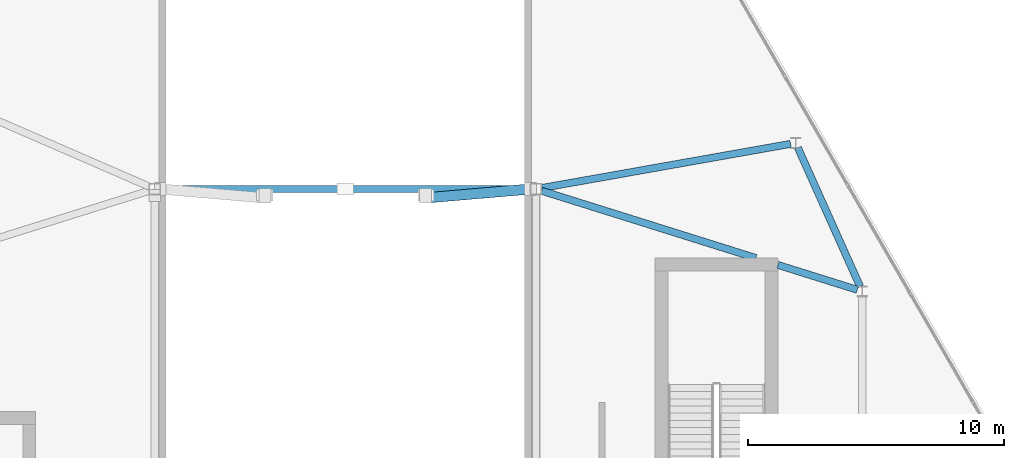
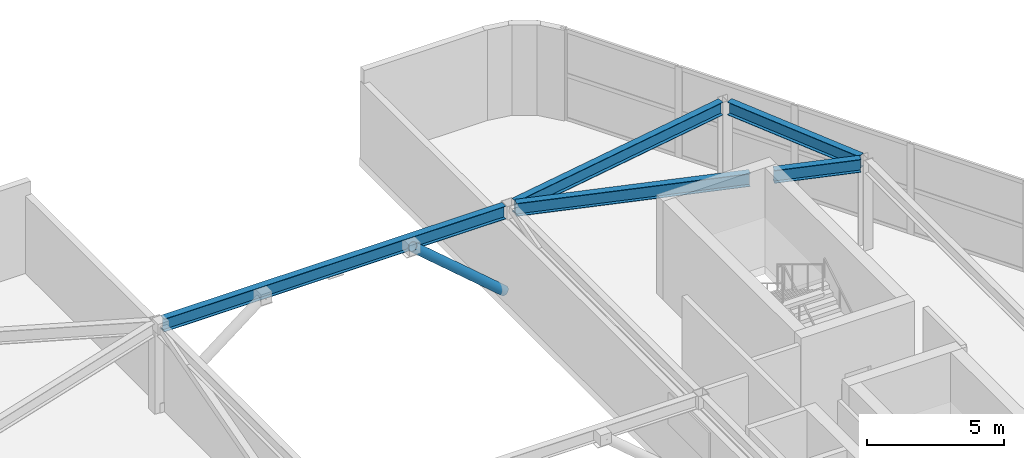
# One storey, part 11 of 16: 5 beams, 1 member.
"""IFC4 building model written with IfcOpenShell, lengths in metres."""

from ifc_helpers import new_model, si_unit, direction, frame, origin, origin_2d, place, context, subcontext, project, spatial, hollow_circle, i_section, extrude, material, material_profile, profile_set, type_object, element, save


model = new_model("IFC4")

# Units and contexts
model_context = context("Model", 3, precision=1e-05, world=origin(), true_north=direction((0.0, 1.0)))
body_context = subcontext(model_context, "Body", "Model", "MODEL_VIEW")
ifc_project = project(units=[si_unit("LENGTHUNIT", "METRE"), si_unit("AREAUNIT", "SQUARE_METRE"), si_unit("VOLUMEUNIT", "CUBIC_METRE"), si_unit("PLANEANGLEUNIT", "RADIAN"), si_unit("MASSUNIT", "GRAM", prefix="KILO")], contexts=[model_context])

# Site, building, storey
site_placement = place(None, origin())
site = spatial("IfcSite", under=ifc_project, at=site_placement, CompositionType="ELEMENT")
building_placement = place(site_placement, origin())
building = spatial("IfcBuilding", under=site, at=building_placement, Name="Zuhravey Tower", CompositionType="ELEMENT")
storey_placement = place(building_placement, frame((0.0, 0.0, 365.800048828125)))
storey = spatial("IfcBuildingStorey", under=building, at=storey_placement, Name="L93", CompositionType="ELEMENT", Elevation=365.800048828125)

# Beams
ifc_material = material(Name="Steel SM355", Category="steel")
ifc_material_profile_1 = material_profile(ifc_material, i_section(OverallWidth=0.280029296875, OverallDepth=0.580078125, WebThickness=0.011962890625, FlangeThickness=0.01904296875, at=origin_2d()), Name="H-580x280x12x19")
ifc_profile_set_1 = profile_set([ifc_material_profile_1], Name="Steel SM355")
beam_type = type_object("IfcBeamType", Name="Perimeter Ring Beam H580x280", PredefinedType="BEAM", material=ifc_profile_set_1)
beam_1_placement = place(storey_placement, frame((56.116455078125, 42.18603515625, 3.760009765625), z_axis=(-0.409053547057, 0.912510381113, 0.0), x_axis=(-0.912510381113, -0.409053547057, 0.0)))
element("IfcBeam", 1, at=beam_1_placement, inside=storey, type_object=beam_type, Name="L93 PB4 BM-L93-ECR-1-3", PredefinedType="BEAM", context=body_context, shape_type="SweptSolid", body=[
    extrude(i_section(OverallWidth=0.280029296875, OverallDepth=0.580078125, WebThickness=0.011962890625, FlangeThickness=0.01904296875, at=origin_2d()), origin(), (0.0, 0.0, 1.0), 5.9482421875),
])
beam_2_placement = place(storey_placement, frame((53.399169921875, 47.764404296875, 3.760009765625), z_axis=(-0.984637117377, -0.174613135483, 0.0), x_axis=(0.174613135483, -0.984637117377, 0.0)))
element("IfcBeam", 2, at=beam_2_placement, inside=storey, type_object=beam_type, Name="L93 PB4 BM-L93-ECR-3-6", PredefinedType="BEAM", context=body_context, shape_type="SweptSolid", body=[
    extrude(i_section(OverallWidth=0.280029296875, OverallDepth=0.580078125, WebThickness=0.011962890625, FlangeThickness=0.01904296875, at=origin_2d()), origin(), (0.0, 0.0, 1.0), 9.875244140625),
])
beam_3_placement = place(storey_placement, frame((56.00537109375, 42.06103515625, 3.760009765625), z_axis=(-0.95415195588, 0.299322643799, 0.0), x_axis=(-0.299322643799, -0.95415195588, 0.0)))
element("IfcBeam", 3, at=beam_3_placement, inside=storey, type_object=beam_type, Name="L93 PB4 BM-L93-ECR-1-6 (1)", PredefinedType="BEAM", context=body_context, shape_type="SweptSolid", body=[
    extrude(i_section(OverallWidth=0.280029296875, OverallDepth=0.580078125, WebThickness=0.011962890625, FlangeThickness=0.01904296875, at=origin_2d()), origin(), (0.0, 0.0, 1.0), 3.250244140625),
])
beam_4_placement = place(storey_placement, frame((52.04345703125, 43.303955078125, 3.760009765625), z_axis=(-0.954146799125, 0.299339081512, 0.0), x_axis=(-0.299339081512, -0.954146799125, 0.0)))
element("IfcBeam", 4, at=beam_4_placement, inside=storey, type_object=beam_type, Name="L93 PB4 BM-L93-ECR-1-6 (2)", PredefinedType="BEAM", context=body_context, shape_type="SweptSolid", body=[
    extrude(i_section(OverallWidth=0.280029296875, OverallDepth=0.580078125, WebThickness=0.011962890625, FlangeThickness=0.01904296875, at=origin_2d()), origin(), (0.0, 0.0, 1.0), 8.777587890625),
])
beam_5_placement = place(storey_placement, frame((28.780029296875, 46.0, 3.7548828125), z_axis=(1.0, 0.0, 0.0), x_axis=(0.0, 1.0, 0.0)))
element("IfcBeam", 5, at=beam_5_placement, inside=storey, type_object=beam_type, Name="L93 Wind-Portal Tie Girder PB4-3", PredefinedType="BEAM", context=body_context, shape_type="SweptSolid", body=[
    extrude(i_section(OverallWidth=0.280029296875, OverallDepth=0.580078125, WebThickness=0.011962890625, FlangeThickness=0.01904296875, at=origin_2d()), origin(), (0.0, 0.0, 1.0), 14.43994140625),
])

# Member
ifc_material_profile_2 = material_profile(ifc_material, hollow_circle(Radius=0.203125, WallThickness=0.02001953125, at=origin_2d()), Name="CHS-406.4x20")
ifc_profile_set_2 = profile_set([ifc_material_profile_2], Name="Steel SM355")
member_type = type_object("IfcMemberType", Name="Wind-Portal Arch Brace CHS406x20", PredefinedType="BRACE", material=ifc_profile_set_2)
member_placement = place(storey_placement, frame((43.219482421875, 45.999755859375, 0.18115234375), z_axis=(-0.747100108009, -0.063850111259, 0.661637810214), x_axis=(0.085153511528, -0.996367843457, 0.0)))
element("IfcMember", 6, at=member_placement, inside=storey, type_object=member_type, Name="L93 Wind-Portal Arch Brace WPB1-3E", PredefinedType="BRACE", context=body_context, shape_type="SweptSolid", body=[
    extrude(hollow_circle(Radius=0.203125, WallThickness=0.02001953125, at=origin_2d()), origin(), (0.0, 0.0, 1.0), 5.44482421875),
])

save(model, "model.ifc")
